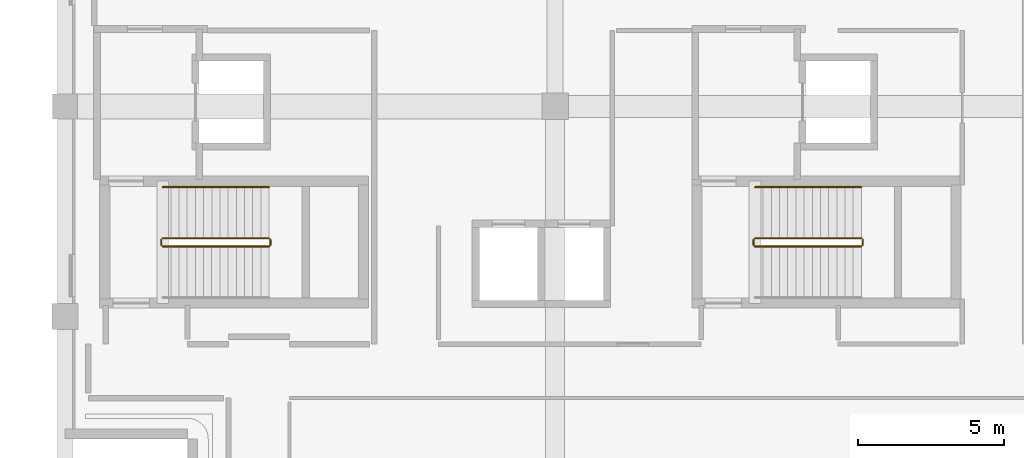
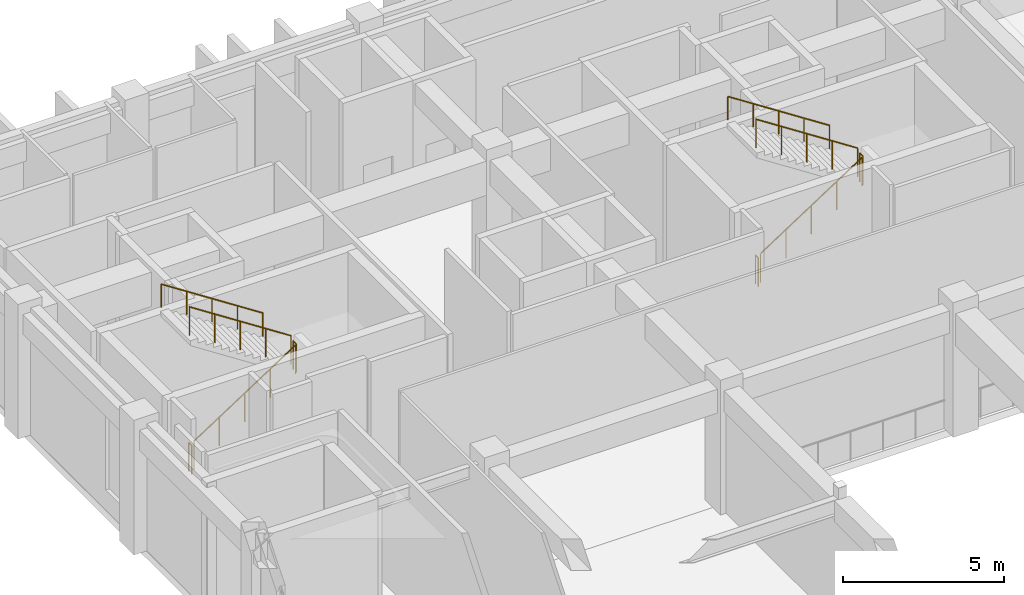
# One storey, part 73 of 78: 10 railings.
"""IFC4 building model written with IfcOpenShell, lengths in metres."""

import ifcopenshell
import ifcopenshell.guid

model = None  # the IFC model being written
_history = None  # IfcOwnerHistory: only IFC2X3 demands one
_inside = {}  # id of a spatial element -> (the spatial element, [elements in it])
_under = {}  # id of a project, library or spatial element -> (it, [spatial elements below it])
_declared = {}  # id of a project -> (the project, [libraries it declares])
_typed = {}  # id of a type object -> (the type object, [elements of that type])
_made_of = {}  # id of a material, layer set ... -> (it, [elements and type objects made of it])


def new_model(schema):
    """Start an empty IFC model of exactly this schema.

    Asked for "IFC4X3", IfcOpenShell would pick the latest addendum, in which some entities
    have other attributes; the version numbers below select the first issue.
    IFC2X3 requires an IfcOwnerHistory on every rooted entity: one is made here for all.
    """
    global model, _history
    if schema == "IFC4X3":
        model = ifcopenshell.file(schema_version=(4, 3, 0, 0))
    else:
        model = ifcopenshell.file(schema=schema)
    _inside.clear()
    _under.clear()
    _declared.clear()
    _typed.clear()
    _made_of.clear()
    _history = None
    if model.schema == "IFC2X3":
        org = make("IfcOrganization", Name="unknown")
        user = make(
            "IfcPersonAndOrganization",
            ThePerson=make("IfcPerson", FamilyName="unknown"),
            TheOrganization=org,
        )
        app = make(
            "IfcApplication",
            ApplicationDeveloper=org,
            Version="unknown",
            ApplicationFullName="unknown",
            ApplicationIdentifier="unknown",
        )
        _history = make(
            "IfcOwnerHistory",
            OwningUser=user,
            OwningApplication=app,
            ChangeAction="ADDED",
            CreationDate=0,
        )
    return model


def make(cls, **values):
    """One entity of the class cls with the attributes given. An attribute that is None is left unset."""
    return model.create_entity(
        cls, **{name: value for name, value in values.items() if value is not None}
    )


def rooted(cls, **values):
    """An entity with a GlobalId (a new one), such as an element, a storey or a relation."""
    return make(cls, GlobalId=ifcopenshell.guid.new(), OwnerHistory=_history, **values)


def si_unit(unit_type, name, prefix=None):
    """IfcSIUnit, for example si_unit("LENGTHUNIT", "METRE", prefix="MILLI")."""
    return make("IfcSIUnit", UnitType=unit_type, Prefix=prefix, Name=name)


def assignment(units):
    """IfcUnitAssignment: the units of a project."""
    return None if units is None else make("IfcUnitAssignment", Units=units)


def point(xyz):
    """IfcCartesianPoint."""
    return None if xyz is None else make("IfcCartesianPoint", Coordinates=xyz)


def direction(xyz):
    """IfcDirection."""
    return None if xyz is None else make("IfcDirection", DirectionRatios=xyz)


def frame(location, z_axis=None, x_axis=None):
    """IfcAxis2Placement3D, a coordinate frame: its origin and axes. An axis left out is left unset."""
    return make(
        "IfcAxis2Placement3D",
        Location=point(location),
        Axis=direction(z_axis),
        RefDirection=direction(x_axis),
    )


def frame_2d(location, x_axis=None):
    """IfcAxis2Placement2D, a coordinate frame in the plane: its origin and x axis."""
    return make(
        "IfcAxis2Placement2D", Location=point(location), RefDirection=direction(x_axis)
    )


def origin():
    """The frame at (0, 0, 0) with its axes left unset."""
    return frame((0.0, 0.0, 0.0))


def origin_2d():
    """The frame at (0, 0) in the plane with its x axis left unset."""
    return frame_2d((0.0, 0.0))


def place(relative_to, where):
    """IfcLocalPlacement: puts the frame where relative to a parent placement (None: the world)."""
    return make(
        "IfcLocalPlacement", PlacementRelTo=relative_to, RelativePlacement=where
    )


def context(
    kind, dimensions, precision=None, world=None, true_north=None, identifier=None
):
    """IfcGeometricRepresentationContext, for example the 3D "Model" context."""
    return make(
        "IfcGeometricRepresentationContext",
        ContextIdentifier=identifier,
        ContextType=kind,
        CoordinateSpaceDimension=dimensions,
        Precision=precision,
        WorldCoordinateSystem=world,
        TrueNorth=true_north,
    )


def subcontext(parent, identifier, kind, view, scale=None):
    """IfcGeometricRepresentationSubContext, for example "Body" below "Model"."""
    return make(
        "IfcGeometricRepresentationSubContext",
        ContextIdentifier=identifier,
        ContextType=kind,
        ParentContext=parent,
        TargetScale=scale,
        TargetView=view,
    )


def project(units=None, contexts=None):
    """IfcProject with its units and contexts."""
    return rooted(
        "IfcProject",
        Name="project",
        RepresentationContexts=contexts,
        UnitsInContext=assignment(units),
    )


def spatial(cls, under=None, at=None, **own):
    """A site, building, storey or space (cls), placed at a placement, below another one or the project."""
    s = rooted(cls, ObjectPlacement=at, **own)
    if under is not None:
        _under.setdefault(under.id(), (under, []))[1].append(s)
    return s


def profile(cls, at=None, kind="AREA", **sizes):
    """A parametric profile (cls). Its sizes go by their IFC names, for example OverallWidth=200.0."""
    return make(cls, ProfileType=kind, Position=at, **sizes)


def circle(**sizes):
    """IfcCircleProfileDef."""
    return profile("IfcCircleProfileDef", **sizes)


def extrude(swept, where, along, depth):
    """IfcExtrudedAreaSolid: the profile swept, set in the frame where, extruded along a direction by depth."""
    return make(
        "IfcExtrudedAreaSolid",
        SweptArea=swept,
        Position=where,
        ExtrudedDirection=direction(along),
        Depth=depth,
    )


def shape(context_of_items, identifier, shape_type, items):
    """IfcShapeRepresentation: the items that make up one representation, for example the "Body"."""
    return make(
        "IfcShapeRepresentation",
        ContextOfItems=context_of_items,
        RepresentationIdentifier=identifier,
        RepresentationType=shape_type,
        Items=items,
    )


def material(Name=None, Category=None):
    """IfcMaterial."""
    return make("IfcMaterial", Name=Name, Category=Category)


def made_of(thing, what):
    """Note that an element or type object is made of a material, layer set ...; save() writes the relation."""
    if what is not None:
        _made_of.setdefault(what.id(), (what, []))[1].append(thing)
    return thing


def type_object(cls, material=None, **own):
    """A type object (cls), such as IfcWallType, which elements share."""
    return made_of(rooted(cls, **own), material)


def element(
    cls,
    number,
    at=None,
    inside=None,
    cuts=None,
    type_object=None,
    material=None,
    context=None,
    identifier="Body",
    shape_type=None,
    held_by="IfcProductDefinitionShape",
    body=None,
    shapes=None,
    **own,
):
    """One element of the class cls, such as IfcWall. Its Tag is "e" and its number.

    at: its placement. inside: the storey or other place that contains it. cuts: it is an
    opening in that element (IfcRelVoidsElement). A single representation is given by context,
    identifier, shape_type and body (its items); several are given by shapes. held_by: the class
    of the entity that holds the representations. save() writes the other relations.
    """
    e = rooted(cls, Tag="e%d" % number, ObjectPlacement=at, **own)
    if body is not None:
        shapes = [shape(context, identifier, shape_type, body)]
    if shapes is not None:
        e.Representation = make(held_by, Representations=shapes)
    if inside is not None:
        _inside.setdefault(inside.id(), (inside, []))[1].append(e)
    if cuts is not None:
        rooted(
            "IfcRelVoidsElement", RelatingBuildingElement=cuts, RelatedOpeningElement=e
        )
    if type_object is not None:
        _typed.setdefault(type_object.id(), (type_object, []))[1].append(e)
    return made_of(e, material)


def aggregate(whole, parts):
    """IfcRelAggregates: a whole, such as a stair, and the parts it consists of."""
    return rooted("IfcRelAggregates", RelatingObject=whole, RelatedObjects=parts)


def save(model, path):
    """Write the relations noted so far, then the file.

    IfcRelAggregates (storeys below a building ...), IfcRelContainedInSpatialStructure (elements
    in a storey), IfcRelDefinesByType, IfcRelAssociatesMaterial and IfcRelDeclares: one each for
    every whole, place, type object, material and project.
    """
    for whole, parts in _under.values():
        aggregate(whole, parts)
    for where, things in _inside.values():
        rooted(
            "IfcRelContainedInSpatialStructure",
            RelatedElements=things,
            RelatingStructure=where,
        )
    for kind, things in _typed.values():
        rooted("IfcRelDefinesByType", RelatedObjects=things, RelatingType=kind)
    for what, things in _made_of.values():
        rooted("IfcRelAssociatesMaterial", RelatedObjects=things, RelatingMaterial=what)
    for by, libraries in _declared.values():
        rooted("IfcRelDeclares", RelatingContext=by, RelatedDefinitions=libraries)
    model.write(path)


model = new_model("IFC4")

# Units and contexts
model_context = context("Model", 3, precision=1e-05, world=origin(), true_north=direction((0.0, 1.0)))
body_context = subcontext(model_context, "Body", "Model", "MODEL_VIEW")
ifc_project = project(units=[si_unit("LENGTHUNIT", "METRE"), si_unit("AREAUNIT", "SQUARE_METRE"), si_unit("VOLUMEUNIT", "CUBIC_METRE"), si_unit("PLANEANGLEUNIT", "RADIAN"), si_unit("MASSUNIT", "GRAM", prefix="KILO")], contexts=[model_context])

# Site, building, storey
site_placement = place(None, origin())
site = spatial("IfcSite", under=ifc_project, at=site_placement, CompositionType="ELEMENT")
building_placement = place(site_placement, origin())
building = spatial("IfcBuilding", under=site, at=building_placement, Name="Quendrovan Civic Courthouse", CompositionType="ELEMENT")
storey_placement = place(building_placement, frame((0.0, 0.0, 10.199951171875)))
storey = spatial("IfcBuildingStorey", under=building, at=storey_placement, Name="L03", CompositionType="ELEMENT", Elevation=10.199951171875)

# Railings
ifc_material_1 = material(Name="Painted galvanized steel", Category="steel")
railing_type_1 = type_object("IfcRailingType", Name="RL-STR-GUARD1100", PredefinedType="GUARDRAIL", material=ifc_material_1)
railing_1_placement = place(storey_placement, frame((36.949951171875, 97.199951171875, 0.18212890625)))
element("IfcRailing", 1, at=railing_1_placement, inside=storey, type_object=railing_type_1, Name="L03 ST1 stair guard 1", PredefinedType="GUARDRAIL", context=body_context, shape_type="SweptSolid", body=[
    extrude(circle(Radius=0.02392578125, at=origin_2d()), frame((0.0, 0.0, 1.076171875), z_axis=(0.83825089185, 0.0, 0.545284735081), x_axis=(0.0, 1.0, 0.0)), (0.0, 0.0, 1.0), 4.342529296875),
    extrude(circle(Radius=0.02099609375, at=origin_2d()), origin(), (0.0, 0.0, 1.0), 1.052001953125),
    extrude(circle(Radius=0.02099609375, at=origin_2d()), frame((0.91015625, 0.0, 0.592041015625)), (0.0, 0.0, 1.0), 1.052001953125),
    extrude(circle(Radius=0.02099609375, at=origin_2d()), frame((1.820068359375, 0.0, 1.18408203125)), (0.0, 0.0, 1.0), 1.052001953125),
    extrude(circle(Radius=0.02099609375, at=origin_2d()), frame((2.72998046875, 0.0, 1.77587890625)), (0.0, 0.0, 1.0), 1.052001953125),
    extrude(circle(Radius=0.02099609375, at=origin_2d()), frame((3.64013671875, 0.0, 2.367919921875)), (0.0, 0.0, 1.0), 1.052001953125),
])
railing_2_placement = place(storey_placement, frame((40.639892578125, 97.25, 2.550048828125)))
element("IfcRailing", 2, at=railing_2_placement, inside=storey, type_object=railing_type_1, Name="L03 ST1 stair guard 2", PredefinedType="GUARDRAIL", context=body_context, shape_type="SweptSolid", body=[
    extrude(circle(Radius=0.02392578125, at=origin_2d()), frame((0.0, 0.0, 1.076171875), z_axis=(0.0, 1.0, 0.0), x_axis=(-1.0, 0.0, 0.0)), (0.0, 0.0, 1.0), 0.179931640625),
    extrude(circle(Radius=0.02099609375, at=origin_2d()), origin(), (0.0, 0.0, 1.0), 1.052001953125),
    extrude(circle(Radius=0.02099609375, at=origin_2d()), frame((0.0, 0.179931640625, 0.0)), (0.0, 0.0, 1.0), 1.052001953125),
])
railing_3_placement = place(storey_placement, frame((40.590087890625, 97.47998046875, 2.732177734375)))
element("IfcRailing", 3, at=railing_3_placement, inside=storey, type_object=railing_type_1, Name="L03 ST1 stair guard 3", PredefinedType="GUARDRAIL", context=body_context, shape_type="SweptSolid", body=[
    extrude(circle(Radius=0.02392578125, at=origin_2d()), frame((0.0, 0.0, 1.076171875), z_axis=(-0.83825089185, 0.0, 0.545284735081), x_axis=(0.0, -1.0, 0.0)), (0.0, 0.0, 1.0), 4.342529296875),
    extrude(circle(Radius=0.02099609375, at=origin_2d()), origin(), (0.0, 0.0, 1.0), 1.052001953125),
    extrude(circle(Radius=0.02099609375, at=origin_2d()), frame((-0.91015625, 0.0, 0.592041015625)), (0.0, 0.0, 1.0), 1.052001953125),
    extrude(circle(Radius=0.02099609375, at=origin_2d()), frame((-1.820068359375, 0.0, 1.18408203125)), (0.0, 0.0, 1.0), 1.052001953125),
    extrude(circle(Radius=0.02099609375, at=origin_2d()), frame((-2.72998046875, 0.0, 1.77587890625)), (0.0, 0.0, 1.0), 1.052001953125),
    extrude(circle(Radius=0.02099609375, at=origin_2d()), frame((-3.64013671875, 0.0, 2.367919921875)), (0.0, 0.0, 1.0), 1.052001953125),
])
railing_4_placement = place(storey_placement, frame((36.89990234375, 97.25, 0.0)))
element("IfcRailing", 4, at=railing_4_placement, inside=storey, type_object=railing_type_1, Name="L03 ST1 stair guard 4", PredefinedType="GUARDRAIL", context=body_context, shape_type="SweptSolid", body=[
    extrude(circle(Radius=0.02392578125, at=origin_2d()), frame((0.0, 0.0, 1.076171875), z_axis=(0.0, 1.0, 0.0), x_axis=(-1.0, 0.0, 0.0)), (0.0, 0.0, 1.0), 0.179931640625),
    extrude(circle(Radius=0.02099609375, at=origin_2d()), origin(), (0.0, 0.0, 1.0), 1.052001953125),
    extrude(circle(Radius=0.02099609375, at=origin_2d()), frame((0.0, 0.179931640625, 0.0)), (0.0, 0.0, 1.0), 1.052001953125),
])
railing_5_placement = place(storey_placement, frame((57.25, 97.199951171875, 0.18212890625)))
element("IfcRailing", 5, at=railing_5_placement, inside=storey, type_object=railing_type_1, Name="L03 ST2 stair guard 1", PredefinedType="GUARDRAIL", context=body_context, shape_type="SweptSolid", body=[
    extrude(circle(Radius=0.02392578125, at=origin_2d()), frame((0.0, 0.0, 1.076171875), z_axis=(0.838234174257, 0.0, 0.545310433706), x_axis=(0.0, 1.0, 0.0)), (0.0, 0.0, 1.0), 4.34228515625),
    extrude(circle(Radius=0.02099609375, at=origin_2d()), origin(), (0.0, 0.0, 1.0), 1.052001953125),
    extrude(circle(Radius=0.02099609375, at=origin_2d()), frame((0.909912109375, 0.0, 0.592041015625)), (0.0, 0.0, 1.0), 1.052001953125),
    extrude(circle(Radius=0.02099609375, at=origin_2d()), frame((1.81982421875, 0.0, 1.18408203125)), (0.0, 0.0, 1.0), 1.052001953125),
    extrude(circle(Radius=0.02099609375, at=origin_2d()), frame((2.72998046875, 0.0, 1.77587890625)), (0.0, 0.0, 1.0), 1.052001953125),
    extrude(circle(Radius=0.02099609375, at=origin_2d()), frame((3.639892578125, 0.0, 2.367919921875)), (0.0, 0.0, 1.0), 1.052001953125),
])
railing_6_placement = place(storey_placement, frame((60.93994140625, 97.25, 2.550048828125)))
element("IfcRailing", 6, at=railing_6_placement, inside=storey, type_object=railing_type_1, Name="L03 ST2 stair guard 2", PredefinedType="GUARDRAIL", context=body_context, shape_type="SweptSolid", body=[
    extrude(circle(Radius=0.02392578125, at=origin_2d()), frame((0.0, 0.0, 1.076171875), z_axis=(0.0, 1.0, 0.0), x_axis=(-1.0, 0.0, 0.0)), (0.0, 0.0, 1.0), 0.179931640625),
    extrude(circle(Radius=0.02099609375, at=origin_2d()), origin(), (0.0, 0.0, 1.0), 1.052001953125),
    extrude(circle(Radius=0.02099609375, at=origin_2d()), frame((0.0, 0.179931640625, 0.0)), (0.0, 0.0, 1.0), 1.052001953125),
])
railing_7_placement = place(storey_placement, frame((60.889892578125, 97.47998046875, 2.732177734375)))
element("IfcRailing", 7, at=railing_7_placement, inside=storey, type_object=railing_type_1, Name="L03 ST2 stair guard 3", PredefinedType="GUARDRAIL", context=body_context, shape_type="SweptSolid", body=[
    extrude(circle(Radius=0.02392578125, at=origin_2d()), frame((0.0, 0.0, 1.076171875), z_axis=(-0.838234174257, 0.0, 0.545310433706), x_axis=(0.0, -1.0, 0.0)), (0.0, 0.0, 1.0), 4.34228515625),
    extrude(circle(Radius=0.02099609375, at=origin_2d()), origin(), (0.0, 0.0, 1.0), 1.052001953125),
    extrude(circle(Radius=0.02099609375, at=origin_2d()), frame((-0.909912109375, 0.0, 0.592041015625)), (0.0, 0.0, 1.0), 1.052001953125),
    extrude(circle(Radius=0.02099609375, at=origin_2d()), frame((-1.81982421875, 0.0, 1.18408203125)), (0.0, 0.0, 1.0), 1.052001953125),
    extrude(circle(Radius=0.02099609375, at=origin_2d()), frame((-2.72998046875, 0.0, 1.77587890625)), (0.0, 0.0, 1.0), 1.052001953125),
    extrude(circle(Radius=0.02099609375, at=origin_2d()), frame((-3.639892578125, 0.0, 2.367919921875)), (0.0, 0.0, 1.0), 1.052001953125),
])
railing_8_placement = place(storey_placement, frame((57.199951171875, 97.25, 0.0)))
element("IfcRailing", 8, at=railing_8_placement, inside=storey, type_object=railing_type_1, Name="L03 ST2 stair guard 4", PredefinedType="GUARDRAIL", context=body_context, shape_type="SweptSolid", body=[
    extrude(circle(Radius=0.02392578125, at=origin_2d()), frame((0.0, 0.0, 1.076171875), z_axis=(0.0, 1.0, 0.0), x_axis=(-1.0, 0.0, 0.0)), (0.0, 0.0, 1.0), 0.179931640625),
    extrude(circle(Radius=0.02099609375, at=origin_2d()), origin(), (0.0, 0.0, 1.0), 1.052001953125),
    extrude(circle(Radius=0.02099609375, at=origin_2d()), frame((0.0, 0.179931640625, 0.0)), (0.0, 0.0, 1.0), 1.052001953125),
])
ifc_material_2 = material(Name="Bronze anodised aluminium", Category="aluminium")
railing_type_2 = type_object("IfcRailingType", Name="RL-STR-HAND900", PredefinedType="HANDRAIL", material=ifc_material_2)
railing_9_placement = place(storey_placement, frame((40.590087890625, 99.22998046875, 2.732177734375)))
element("IfcRailing", 9, at=railing_9_placement, inside=storey, type_object=railing_type_2, Name="L03 ST1 stair handrail 2", PredefinedType="HANDRAIL", context=body_context, shape_type="SweptSolid", body=[
    extrude(circle(Radius=0.02392578125, at=origin_2d()), frame((0.0, 0.0, 0.8759765625), z_axis=(-0.83825089185, 0.0, 0.545284735081), x_axis=(0.0, -1.0, 0.0)), (0.0, 0.0, 1.0), 4.342529296875),
    extrude(circle(Radius=0.02099609375, at=origin_2d()), origin(), (0.0, 0.0, 1.0), 0.851806640625),
    extrude(circle(Radius=0.02099609375, at=origin_2d()), frame((-0.91015625, 0.0, 0.592041015625)), (0.0, 0.0, 1.0), 0.851806640625),
    extrude(circle(Radius=0.02099609375, at=origin_2d()), frame((-1.820068359375, 0.0, 1.18408203125)), (0.0, 0.0, 1.0), 0.851806640625),
    extrude(circle(Radius=0.02099609375, at=origin_2d()), frame((-2.72998046875, 0.0, 1.77587890625)), (0.0, 0.0, 1.0), 0.851806640625),
    extrude(circle(Radius=0.02099609375, at=origin_2d()), frame((-3.64013671875, 0.0, 2.367919921875)), (0.0, 0.0, 1.0), 0.851806640625),
])
railing_10_placement = place(storey_placement, frame((60.889892578125, 99.22998046875, 2.732177734375)))
element("IfcRailing", 10, at=railing_10_placement, inside=storey, type_object=railing_type_2, Name="L03 ST2 stair handrail 2", PredefinedType="HANDRAIL", context=body_context, shape_type="SweptSolid", body=[
    extrude(circle(Radius=0.02392578125, at=origin_2d()), frame((0.0, 0.0, 0.8759765625), z_axis=(-0.838234174257, 0.0, 0.545310433706), x_axis=(0.0, -1.0, 0.0)), (0.0, 0.0, 1.0), 4.34228515625),
    extrude(circle(Radius=0.02099609375, at=origin_2d()), origin(), (0.0, 0.0, 1.0), 0.851806640625),
    extrude(circle(Radius=0.02099609375, at=origin_2d()), frame((-0.909912109375, 0.0, 0.592041015625)), (0.0, 0.0, 1.0), 0.851806640625),
    extrude(circle(Radius=0.02099609375, at=origin_2d()), frame((-1.81982421875, 0.0, 1.18408203125)), (0.0, 0.0, 1.0), 0.851806640625),
    extrude(circle(Radius=0.02099609375, at=origin_2d()), frame((-2.72998046875, 0.0, 1.77587890625)), (0.0, 0.0, 1.0), 0.851806640625),
    extrude(circle(Radius=0.02099609375, at=origin_2d()), frame((-3.639892578125, 0.0, 2.367919921875)), (0.0, 0.0, 1.0), 0.851806640625),
])

save(model, "model.ifc")
